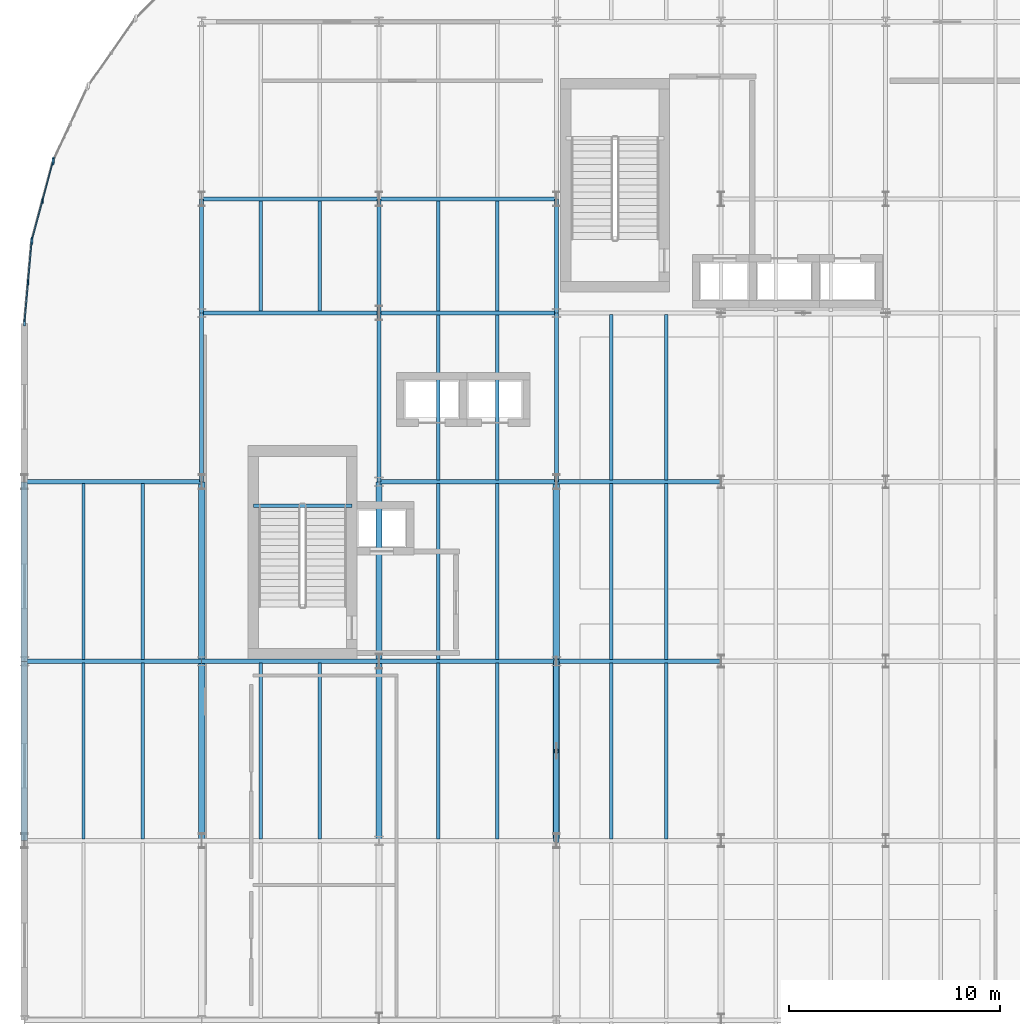
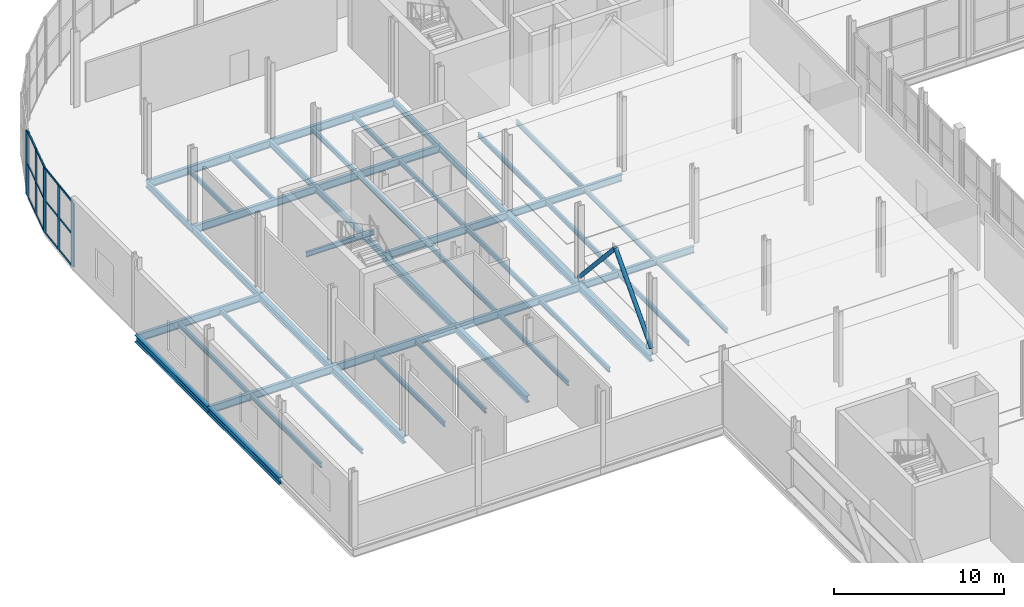
# One storey, part 24 of 78: 48 beams, 21 members, 3 elements without a shape of their own.
"""IFC4 building model written with IfcOpenShell, lengths in metres."""

from ifc_helpers import new_model, si_unit, direction, frame, origin, origin_2d, place, context, subcontext, project, spatial, rectangle, hollow_circle, i_section, extrude, material, layer, layer_set, material_profile, profile_set, type_object, element, aggregate, save


model = new_model("IFC4")

# Units and contexts
model_context = context("Model", 3, precision=1e-05, world=origin(), true_north=direction((0.0, 1.0)))
body_context = subcontext(model_context, "Body", "Model", "MODEL_VIEW")
ifc_project = project(units=[si_unit("LENGTHUNIT", "METRE"), si_unit("AREAUNIT", "SQUARE_METRE"), si_unit("VOLUMEUNIT", "CUBIC_METRE"), si_unit("PLANEANGLEUNIT", "RADIAN"), si_unit("MASSUNIT", "GRAM", prefix="KILO")], contexts=[model_context])

# Site, building, storey
site_placement = place(None, origin())
site = spatial("IfcSite", under=ifc_project, at=site_placement, CompositionType="ELEMENT")
building_placement = place(site_placement, origin())
building = spatial("IfcBuilding", under=site, at=building_placement, Name="Sefraquen Railside Congress Hotel", CompositionType="ELEMENT")
storey_placement = place(building_placement, frame((0.0, 0.0, 6.0)))
storey = spatial("IfcBuildingStorey", under=building, at=storey_placement, Name="L01", CompositionType="ELEMENT", Elevation=6.0)

# Beams
ifc_material_1 = material(Name="Steel S355JR", Category="steel")
ifc_material_profile_1 = material_profile(ifc_material_1, i_section(OverallWidth=0.169921875, OverallDepth=0.360107421875, WebThickness=0.008056640625, FlangeThickness=0.0126953125, FilletRadius=0.01806640625, at=origin_2d()), Name="IPE 360")
ifc_profile_set_1 = profile_set([ifc_material_profile_1], Name="Steel S355JR")
beam_type_1 = type_object("IfcBeamType", Name="TB-BM-360", PredefinedType="BEAM", material=ifc_profile_set_1)
beam_1_placement = place(storey_placement, frame((10.85009765625, 86.8701171875, 2.320068359375), z_axis=(1.0, 0.0, 0.0), x_axis=(0.0, 1.0, 0.0)))
element("IfcBeam", 1, at=beam_1_placement, inside=storey, type_object=beam_type_1, Name="Stair ST-H01 L01 mid-landing corbel beam", PredefinedType="BEAM", context=body_context, shape_type="SweptSolid", body=[
    extrude(i_section(OverallWidth=0.169921875, OverallDepth=0.360107421875, WebThickness=0.008056640625, FlangeThickness=0.0126953125, FilletRadius=0.01806640625, at=origin_2d()), origin(), (0.0, 0.0, 1.0), 4.659912109375),
])
ifc_material_profile_2 = material_profile(ifc_material_1, i_section(OverallWidth=0.18994140625, OverallDepth=0.449951171875, WebThickness=0.009521484375, FlangeThickness=0.0146484375, FilletRadius=0.02099609375, at=origin_2d()), Name="IPE 450")
ifc_profile_set_2 = profile_set([ifc_material_profile_2], Name="Steel S355JR")
beam_type_2 = type_object("IfcBeamType", Name="TB-BM-450", PredefinedType="BEAM", material=ifc_profile_set_2)
beam_2_placement = place(storey_placement, frame((8.39990234375, 88.0, -0.52490234375), z_axis=(0.0, 1.0, 0.0), x_axis=(-1.0, 0.0, 0.0)))
element("IfcBeam", 2, at=beam_2_placement, inside=storey, type_object=beam_type_2, Name="Floor beam BM-L01-0513", PredefinedType="BEAM", context=body_context, shape_type="SweptSolid", body=[
    extrude(i_section(OverallWidth=0.18994140625, OverallDepth=0.449951171875, WebThickness=0.009521484375, FlangeThickness=0.0146484375, FilletRadius=0.02099609375, at=origin_2d()), origin(), (0.0, 0.0, 1.0), 8.0),
])
beam_3_placement = place(storey_placement, frame((8.39990234375, 96.0, -0.52490234375), z_axis=(0.0, 1.0, 0.0), x_axis=(-1.0, 0.0, 0.0)))
element("IfcBeam", 3, at=beam_3_placement, inside=storey, type_object=beam_type_2, Name="Floor beam BM-L01-0514", PredefinedType="BEAM", context=body_context, shape_type="SweptSolid", body=[
    extrude(i_section(OverallWidth=0.18994140625, OverallDepth=0.449951171875, WebThickness=0.009521484375, FlangeThickness=0.0146484375, FilletRadius=0.02099609375, at=origin_2d()), origin(), (0.0, 0.0, 1.0), 5.39990234375),
])
beam_4_placement = place(storey_placement, frame((16.800048828125, 88.0, -0.52490234375), z_axis=(0.0, 1.0, 0.0), x_axis=(-1.0, 0.0, 0.0)))
element("IfcBeam", 4, at=beam_4_placement, inside=storey, type_object=beam_type_2, Name="Floor beam BM-L01-0519", PredefinedType="BEAM", context=body_context, shape_type="SweptSolid", body=[
    extrude(i_section(OverallWidth=0.18994140625, OverallDepth=0.449951171875, WebThickness=0.009521484375, FlangeThickness=0.0146484375, FilletRadius=0.02099609375, at=origin_2d()), origin(), (0.0, 0.0, 1.0), 8.0),
])
beam_5_placement = place(storey_placement, frame((16.800048828125, 96.0, -0.52490234375), z_axis=(0.0, 1.0, 0.0), x_axis=(-1.0, 0.0, 0.0)))
element("IfcBeam", 5, at=beam_5_placement, inside=storey, type_object=beam_type_2, Name="Floor beam BM-L01-0520", PredefinedType="BEAM", context=body_context, shape_type="SweptSolid", body=[
    extrude(i_section(OverallWidth=0.18994140625, OverallDepth=0.449951171875, WebThickness=0.009521484375, FlangeThickness=0.0146484375, FilletRadius=0.02099609375, at=origin_2d()), origin(), (0.0, 0.0, 1.0), 5.39990234375),
])
beam_6_placement = place(storey_placement, frame((25.199951171875, 88.0, -0.52490234375), z_axis=(0.0, 1.0, 0.0), x_axis=(-1.0, 0.0, 0.0)))
element("IfcBeam", 6, at=beam_6_placement, inside=storey, type_object=beam_type_2, Name="Floor beam BM-L01-0531", PredefinedType="BEAM", context=body_context, shape_type="SweptSolid", body=[
    extrude(i_section(OverallWidth=0.18994140625, OverallDepth=0.449951171875, WebThickness=0.009521484375, FlangeThickness=0.0146484375, FilletRadius=0.02099609375, at=origin_2d()), origin(), (0.0, 0.0, 1.0), 8.0),
])
beam_7_placement = place(storey_placement, frame((25.199951171875, 96.0, -0.52490234375), z_axis=(0.0, 1.0, 0.0), x_axis=(-1.0, 0.0, 0.0)))
element("IfcBeam", 7, at=beam_7_placement, inside=storey, type_object=beam_type_2, Name="Floor beam BM-L01-0532", PredefinedType="BEAM", context=body_context, shape_type="SweptSolid", body=[
    extrude(i_section(OverallWidth=0.18994140625, OverallDepth=0.449951171875, WebThickness=0.009521484375, FlangeThickness=0.0146484375, FilletRadius=0.02099609375, at=origin_2d()), origin(), (0.0, 0.0, 1.0), 5.39990234375),
])
ifc_material_profile_3 = material_profile(ifc_material_1, i_section(OverallWidth=0.199951171875, OverallDepth=0.5, WebThickness=0.01025390625, FlangeThickness=0.01611328125, FilletRadius=0.02099609375, at=origin_2d()), Name="IPE 500")
ifc_profile_set_3 = profile_set([ifc_material_profile_3], Name="Steel S355JR")
beam_type_3 = type_object("IfcBeamType", Name="TB-BM-500", PredefinedType="BEAM", material=ifc_profile_set_3)
for number, where, z_axis, x_axis, name in (
    (8, (25.199951171875, 79.5, -0.550048828125), (1.0, 0.0, 0.0), (0.0, 1.0, 0.0), "Primary girder BM-L01-0429"),
    (9, (25.199951171875, 88.0, -0.550048828125), (1.0, 0.0, 0.0), (0.0, 1.0, 0.0), "Primary girder BM-L01-0436"),
):
    element("IfcBeam", number, at=place(storey_placement, frame(where, z_axis=z_axis, x_axis=x_axis)), inside=storey, type_object=beam_type_3, Name=name, PredefinedType="BEAM", context=body_context, shape_type="SweptSolid", body=[
        extrude(i_section(OverallWidth=0.199951171875, OverallDepth=0.5, WebThickness=0.01025390625, FlangeThickness=0.01611328125, FilletRadius=0.02099609375, at=origin_2d()), origin(), (0.0, 0.0, 1.0), 7.800048828125),
    ])
ifc_material_profile_4 = material_profile(ifc_material_1, i_section(OverallWidth=0.300048828125, OverallDepth=0.489990234375, WebThickness=0.011962890625, FlangeThickness=0.02294921875, FilletRadius=0.027099609375, at=origin_2d()), Name="HEA 500")
ifc_profile_set_4 = profile_set([ifc_material_profile_4], Name="Steel S355JR")
beam_type_4 = type_object("IfcBeamType", Name="TB-GIR-500", PredefinedType="T_BEAM", material=ifc_profile_set_4)
for number, where, z_axis, x_axis, name in (
    (10, (0.0, 71.0, -0.544921875), (0.0, 1.0, 0.0), (-1.0, 0.0, 0.0), "Floor beam BM-L01-0508"),
    (11, (0.0, 79.5, -0.544921875), (0.0, 1.0, 0.0), (-1.0, 0.0, 0.0), "Floor beam BM-L01-0509"),
    (12, (8.39990234375, 71.0, -0.544921875), (0.0, 1.0, 0.0), (-1.0, 0.0, 0.0), "Floor beam BM-L01-0511"),
    (13, (8.39990234375, 79.5, -0.544921875), (0.0, 1.0, 0.0), (-1.0, 0.0, 0.0), "Floor beam BM-L01-0512"),
    (14, (16.800048828125, 71.0, -0.544921875), (0.0, 1.0, 0.0), (-1.0, 0.0, 0.0), "Floor beam BM-L01-0517"),
    (15, (16.800048828125, 79.5, -0.544921875), (0.0, 1.0, 0.0), (-1.0, 0.0, 0.0), "Floor beam BM-L01-0518"),
    (16, (25.199951171875, 71.0, -0.544921875), (0.0, 1.0, 0.0), (-1.0, 0.0, 0.0), "Floor beam BM-L01-0529"),
    (17, (25.199951171875, 79.5, -0.544921875), (0.0, 1.0, 0.0), (-1.0, 0.0, 0.0), "Floor beam BM-L01-0530"),
):
    element("IfcBeam", number, at=place(storey_placement, frame(where, z_axis=z_axis, x_axis=x_axis)), inside=storey, type_object=beam_type_4, Name=name, PredefinedType="T_BEAM", context=body_context, shape_type="SweptSolid", body=[
        extrude(i_section(OverallWidth=0.300048828125, OverallDepth=0.489990234375, WebThickness=0.011962890625, FlangeThickness=0.02294921875, FilletRadius=0.027099609375, at=origin_2d()), origin(), (0.0, 0.0, 1.0), 8.5),
    ])
ifc_material_profile_5 = material_profile(ifc_material_1, i_section(OverallWidth=0.2099609375, OverallDepth=0.550048828125, WebThickness=0.010986328125, FlangeThickness=0.01708984375, FilletRadius=0.02392578125, at=origin_2d()), Name="IPE 550")
ifc_profile_set_5 = profile_set([ifc_material_profile_5], Name="Steel S355JR")
beam_type_5 = type_object("IfcBeamType", Name="TB-GIR-550", PredefinedType="T_BEAM", material=ifc_profile_set_5)
beam_8_placement = place(storey_placement, frame((0.0, 79.5, -0.574951171875), z_axis=(1.0, 0.0, 0.0), x_axis=(0.0, 1.0, 0.0)))
element("IfcBeam", 18, at=beam_8_placement, inside=storey, type_object=beam_type_5, Name="Primary girder BM-L01-0426", PredefinedType="T_BEAM", context=body_context, shape_type="SweptSolid", body=[
    extrude(i_section(OverallWidth=0.2099609375, OverallDepth=0.550048828125, WebThickness=0.010986328125, FlangeThickness=0.01708984375, FilletRadius=0.02392578125, at=origin_2d()), origin(), (0.0, 0.0, 1.0), 8.39990234375),
])
beam_9_placement = place(storey_placement, frame((8.39990234375, 79.5, -0.574951171875), z_axis=(1.0, 0.0, 0.0), x_axis=(0.0, 1.0, 0.0)))
element("IfcBeam", 19, at=beam_9_placement, inside=storey, type_object=beam_type_5, Name="Primary girder BM-L01-0427", PredefinedType="T_BEAM", context=body_context, shape_type="SweptSolid", body=[
    extrude(i_section(OverallWidth=0.2099609375, OverallDepth=0.550048828125, WebThickness=0.010986328125, FlangeThickness=0.01708984375, FilletRadius=0.02392578125, at=origin_2d()), origin(), (0.0, 0.0, 1.0), 8.400146484375),
])
for number, where, z_axis, x_axis, name in (
    (20, (16.800048828125, 79.5, -0.574951171875), (1.0, 0.0, 0.0), (0.0, 1.0, 0.0), "Primary girder BM-L01-0428"),
    (21, (0.0, 88.0, -0.574951171875), (1.0, 0.0, 0.0), (0.0, 1.0, 0.0), "Primary girder BM-L01-0434"),
    (22, (16.800048828125, 88.0, -0.574951171875), (1.0, 0.0, 0.0), (0.0, 1.0, 0.0), "Primary girder BM-L01-0435"),
):
    element("IfcBeam", number, at=place(storey_placement, frame(where, z_axis=z_axis, x_axis=x_axis)), inside=storey, type_object=beam_type_5, Name=name, PredefinedType="T_BEAM", context=body_context, shape_type="SweptSolid", body=[
        extrude(i_section(OverallWidth=0.2099609375, OverallDepth=0.550048828125, WebThickness=0.010986328125, FlangeThickness=0.01708984375, FilletRadius=0.02392578125, at=origin_2d()), origin(), (0.0, 0.0, 1.0), 8.39990234375),
    ])
beam_10_placement = place(storey_placement, frame((8.39990234375, 96.0, -0.574951171875), z_axis=(1.0, 0.0, 0.0), x_axis=(0.0, 1.0, 0.0)))
element("IfcBeam", 23, at=beam_10_placement, inside=storey, type_object=beam_type_5, Name="Primary girder BM-L01-0449", PredefinedType="T_BEAM", context=body_context, shape_type="SweptSolid", body=[
    extrude(i_section(OverallWidth=0.2099609375, OverallDepth=0.550048828125, WebThickness=0.010986328125, FlangeThickness=0.01708984375, FilletRadius=0.02392578125, at=origin_2d()), origin(), (0.0, 0.0, 1.0), 8.400146484375),
])
beam_11_placement = place(storey_placement, frame((16.800048828125, 96.0, -0.574951171875), z_axis=(1.0, 0.0, 0.0), x_axis=(0.0, 1.0, 0.0)))
element("IfcBeam", 24, at=beam_11_placement, inside=storey, type_object=beam_type_5, Name="Primary girder BM-L01-0450", PredefinedType="T_BEAM", context=body_context, shape_type="SweptSolid", body=[
    extrude(i_section(OverallWidth=0.2099609375, OverallDepth=0.550048828125, WebThickness=0.010986328125, FlangeThickness=0.01708984375, FilletRadius=0.02392578125, at=origin_2d()), origin(), (0.0, 0.0, 1.0), 8.39990234375),
])
beam_12_placement = place(storey_placement, frame((8.39990234375, 101.39990234375, -0.574951171875), z_axis=(1.0, 0.0, 0.0), x_axis=(0.0, 1.0, 0.0)))
element("IfcBeam", 25, at=beam_12_placement, inside=storey, type_object=beam_type_5, Name="Primary girder BM-L01-0469", PredefinedType="T_BEAM", context=body_context, shape_type="SweptSolid", body=[
    extrude(i_section(OverallWidth=0.2099609375, OverallDepth=0.550048828125, WebThickness=0.010986328125, FlangeThickness=0.01708984375, FilletRadius=0.02392578125, at=origin_2d()), origin(), (0.0, 0.0, 1.0), 8.400146484375),
])
beam_13_placement = place(storey_placement, frame((16.800048828125, 101.39990234375, -0.574951171875), z_axis=(1.0, 0.0, 0.0), x_axis=(0.0, 1.0, 0.0)))
element("IfcBeam", 26, at=beam_13_placement, inside=storey, type_object=beam_type_5, Name="Primary girder BM-L01-0470", PredefinedType="T_BEAM", context=body_context, shape_type="SweptSolid", body=[
    extrude(i_section(OverallWidth=0.2099609375, OverallDepth=0.550048828125, WebThickness=0.010986328125, FlangeThickness=0.01708984375, FilletRadius=0.02392578125, at=origin_2d()), origin(), (0.0, 0.0, 1.0), 8.39990234375),
])
ifc_material_profile_6 = material_profile(ifc_material_1, i_section(OverallWidth=0.159912109375, OverallDepth=0.330078125, WebThickness=0.007568359375, FlangeThickness=0.011474609375, FilletRadius=0.01806640625, at=origin_2d()), Name="IPE 330")
ifc_profile_set_6 = profile_set([ifc_material_profile_6], Name="Steel S355JR")
beam_type_6 = type_object("IfcBeamType", Name="TB-JST-330", PredefinedType="JOIST", material=ifc_profile_set_6)
for number, where, z_axis, x_axis, name in (
    (27, (2.800048828125, 71.0849609375, -0.465087890625), (0.0, 1.0, 0.0), (-1.0, 0.0, 0.0), "Composite floor joist BM-L01-J0205"),
    (28, (5.60009765625, 71.0849609375, -0.465087890625), (0.0, 1.0, 0.0), (-1.0, 0.0, 0.0), "Composite floor joist BM-L01-J0206"),
    (29, (2.800048828125, 79.5849609375, -0.465087890625), (0.0, 1.0, 0.0), (-1.0, 0.0, 0.0), "Composite floor joist BM-L01-J0207"),
    (30, (5.60009765625, 79.5849609375, -0.465087890625), (0.0, 1.0, 0.0), (-1.0, 0.0, 0.0), "Composite floor joist BM-L01-J0208"),
    (31, (11.199951171875, 71.0849609375, -0.465087890625), (0.0, 1.0, 0.0), (-1.0, 0.0, 0.0), "Composite floor joist BM-L01-J0211"),
    (32, (14.0, 71.0849609375, -0.465087890625), (0.0, 1.0, 0.0), (-1.0, 0.0, 0.0), "Composite floor joist BM-L01-J0212"),
):
    element("IfcBeam", number, at=place(storey_placement, frame(where, z_axis=z_axis, x_axis=x_axis)), inside=storey, type_object=beam_type_6, Name=name, PredefinedType="JOIST", context=body_context, shape_type="SweptSolid", body=[
        extrude(i_section(OverallWidth=0.159912109375, OverallDepth=0.330078125, WebThickness=0.007568359375, FlangeThickness=0.011474609375, FilletRadius=0.01806640625, at=origin_2d()), origin(), (0.0, 0.0, 1.0), 8.330078125),
    ])
for number, where, z_axis, x_axis, name in (
    (33, (11.199951171875, 96.0849609375, -0.465087890625), (0.0, 1.0, 0.0), (-1.0, 0.0, 0.0), "Composite floor joist BM-L01-J0213"),
    (34, (14.0, 96.0849609375, -0.465087890625), (0.0, 1.0, 0.0), (-1.0, 0.0, 0.0), "Composite floor joist BM-L01-J0214"),
):
    element("IfcBeam", number, at=place(storey_placement, frame(where, z_axis=z_axis, x_axis=x_axis)), inside=storey, type_object=beam_type_6, Name=name, PredefinedType="JOIST", context=body_context, shape_type="SweptSolid", body=[
        extrude(i_section(OverallWidth=0.159912109375, OverallDepth=0.330078125, WebThickness=0.007568359375, FlangeThickness=0.011474609375, FilletRadius=0.01806640625, at=origin_2d()), origin(), (0.0, 0.0, 1.0), 5.22998046875),
    ])
for number, where, z_axis, x_axis, name in (
    (35, (19.60009765625, 71.0849609375, -0.465087890625), (0.0, 1.0, 0.0), (-1.0, 0.0, 0.0), "Composite floor joist BM-L01-J0219"),
    (36, (22.39990234375, 71.0849609375, -0.465087890625), (0.0, 1.0, 0.0), (-1.0, 0.0, 0.0), "Composite floor joist BM-L01-J0220"),
    (37, (19.60009765625, 79.5849609375, -0.465087890625), (0.0, 1.0, 0.0), (-1.0, 0.0, 0.0), "Composite floor joist BM-L01-J0221"),
    (38, (22.39990234375, 79.5849609375, -0.465087890625), (0.0, 1.0, 0.0), (-1.0, 0.0, 0.0), "Composite floor joist BM-L01-J0222"),
):
    element("IfcBeam", number, at=place(storey_placement, frame(where, z_axis=z_axis, x_axis=x_axis)), inside=storey, type_object=beam_type_6, Name=name, PredefinedType="JOIST", context=body_context, shape_type="SweptSolid", body=[
        extrude(i_section(OverallWidth=0.159912109375, OverallDepth=0.330078125, WebThickness=0.007568359375, FlangeThickness=0.011474609375, FilletRadius=0.01806640625, at=origin_2d()), origin(), (0.0, 0.0, 1.0), 8.330078125),
    ])
for number, where, z_axis, x_axis, name in (
    (39, (19.60009765625, 88.0849609375, -0.465087890625), (0.0, 1.0, 0.0), (-1.0, 0.0, 0.0), "Composite floor joist BM-L01-J0223"),
    (40, (22.39990234375, 88.0849609375, -0.465087890625), (0.0, 1.0, 0.0), (-1.0, 0.0, 0.0), "Composite floor joist BM-L01-J0224"),
):
    element("IfcBeam", number, at=place(storey_placement, frame(where, z_axis=z_axis, x_axis=x_axis)), inside=storey, type_object=beam_type_6, Name=name, PredefinedType="JOIST", context=body_context, shape_type="SweptSolid", body=[
        extrude(i_section(OverallWidth=0.159912109375, OverallDepth=0.330078125, WebThickness=0.007568359375, FlangeThickness=0.011474609375, FilletRadius=0.01806640625, at=origin_2d()), origin(), (0.0, 0.0, 1.0), 7.830078125),
    ])
for number, where, z_axis, x_axis, name in (
    (41, (19.60009765625, 96.0849609375, -0.465087890625), (0.0, 1.0, 0.0), (-1.0, 0.0, 0.0), "Composite floor joist BM-L01-J0225"),
    (42, (22.39990234375, 96.0849609375, -0.465087890625), (0.0, 1.0, 0.0), (-1.0, 0.0, 0.0), "Composite floor joist BM-L01-J0226"),
):
    element("IfcBeam", number, at=place(storey_placement, frame(where, z_axis=z_axis, x_axis=x_axis)), inside=storey, type_object=beam_type_6, Name=name, PredefinedType="JOIST", context=body_context, shape_type="SweptSolid", body=[
        extrude(i_section(OverallWidth=0.159912109375, OverallDepth=0.330078125, WebThickness=0.007568359375, FlangeThickness=0.011474609375, FilletRadius=0.01806640625, at=origin_2d()), origin(), (0.0, 0.0, 1.0), 5.22998046875),
    ])
for number, where, z_axis, x_axis, name in (
    (43, (27.800048828125, 71.080078125, -0.465087890625), (0.0, 1.0, 0.0), (-1.0, 0.0, 0.0), "Composite floor joist BM-L01-J0238"),
    (44, (30.39990234375, 71.080078125, -0.465087890625), (0.0, 1.0, 0.0), (-1.0, 0.0, 0.0), "Composite floor joist BM-L01-J0239"),
    (45, (27.800048828125, 79.580078125, -0.465087890625), (0.0, 1.0, 0.0), (-1.0, 0.0, 0.0), "Composite floor joist BM-L01-J0240"),
    (46, (30.39990234375, 79.580078125, -0.465087890625), (0.0, 1.0, 0.0), (-1.0, 0.0, 0.0), "Composite floor joist BM-L01-J0241"),
):
    element("IfcBeam", number, at=place(storey_placement, frame(where, z_axis=z_axis, x_axis=x_axis)), inside=storey, type_object=beam_type_6, Name=name, PredefinedType="JOIST", context=body_context, shape_type="SweptSolid", body=[
        extrude(i_section(OverallWidth=0.159912109375, OverallDepth=0.330078125, WebThickness=0.007568359375, FlangeThickness=0.011474609375, FilletRadius=0.01806640625, at=origin_2d()), origin(), (0.0, 0.0, 1.0), 8.33984375),
    ])
for number, where, z_axis, x_axis, name in (
    (47, (27.800048828125, 88.080078125, -0.465087890625), (0.0, 1.0, 0.0), (-1.0, 0.0, 0.0), "Composite floor joist BM-L01-J0242"),
    (48, (30.39990234375, 88.080078125, -0.465087890625), (0.0, 1.0, 0.0), (-1.0, 0.0, 0.0), "Composite floor joist BM-L01-J0243"),
):
    element("IfcBeam", number, at=place(storey_placement, frame(where, z_axis=z_axis, x_axis=x_axis)), inside=storey, type_object=beam_type_6, Name=name, PredefinedType="JOIST", context=body_context, shape_type="SweptSolid", body=[
        extrude(i_section(OverallWidth=0.159912109375, OverallDepth=0.330078125, WebThickness=0.007568359375, FlangeThickness=0.011474609375, FilletRadius=0.01806640625, at=origin_2d()), origin(), (0.0, 0.0, 1.0), 7.83984375),
    ])

# Members
ifc_material_2 = material(Name="Steel S355J2", Category="steel")
ifc_material_profile_7 = material_profile(ifc_material_2, hollow_circle(Radius=0.136474609375, WallThickness=0.012451171875, at=origin_2d()), Name="CHS 273x12.5")
ifc_profile_set_7 = profile_set([ifc_material_profile_7], Name="Steel S355J2")
member_type_1 = type_object("IfcMemberType", Name="TM-BR-273", PredefinedType="BRACE", material=ifc_profile_set_7)
for number, where, z_axis, x_axis, name in (
    (49, (25.199951171875, 71.0, 0.14990234375), (0.0, 0.674634091144, 0.738152316982), (-1.0, 0.0, 0.0), "Chevron braced-frame diagonal BF2-L L01"),
    (50, (25.199951171875, 79.5, 0.14990234375), (0.0, -0.674634091144, 0.738152316982), (1.0, 0.0, 0.0), "Chevron braced-frame diagonal BF2-R L01"),
):
    element("IfcMember", number, at=place(storey_placement, frame(where, z_axis=z_axis, x_axis=x_axis)), inside=storey, type_object=member_type_1, Name=name, PredefinedType="BRACE", context=body_context, shape_type="SweptSolid", body=[
        extrude(hollow_circle(Radius=0.136474609375, WallThickness=0.012451171875, at=origin_2d()), origin(), (0.0, 0.0, 1.0), 6.2998046875),
    ])

# Curtain wall, member
ifc_material_3 = material(Name="Thermally broken anodised aluminium and low-E double glazing", Category="aluminium")
ifc_layer_1 = layer(ifc_material_3, 0.199951171875)
ifc_layer_set_1 = layer_set([ifc_layer_1], Name="Thermally broken anodised aluminium and low-E double glazing")
curtain_wall_type_1 = type_object("IfcCurtainWallType", Name="TCW-UCW-17", PredefinedType="USERDEFINED", material=ifc_layer_set_1)
curtain_wall_1_placement = place(storey_placement, origin())
curtain_wall_1 = element("IfcCurtainWall", 51, at=curtain_wall_1_placement, inside=storey, type_object=curtain_wall_type_1, Name="Rotunda L01 curved curtain wall facet 8", ObjectType="UNITISED CURTAIN WALL", PredefinedType="USERDEFINED")
ifc_material_4 = material(Name="Thermally broken anodised aluminium 6063-T6", Category="aluminium")
ifc_material_profile_8 = material_profile(ifc_material_4, rectangle(XDim=0.074951171875, YDim=0.219970703125, at=origin_2d()), Name="CWM 75x220")
ifc_profile_set_8 = profile_set([ifc_material_profile_8], Name="Thermally broken anodised aluminium 6063-T6")
member_type_2 = type_object("IfcMemberType", Name="TM-CWM-04", PredefinedType="MULLION", material=ifc_profile_set_8)
member_1_placement = place(storey_placement, frame((0.849365234375, 101.30126953125, 0.0), z_axis=(0.0, 0.0, 1.0), x_axis=(1.0, 0.0, 0.0)))
member_1 = element("IfcMember", 52, at=member_1_placement, type_object=member_type_2, Name="CW-L01-ROT-08 mullion 2", PredefinedType="MULLION", context=body_context, shape_type="SweptSolid", body=[
    extrude(rectangle(XDim=0.074951171875, YDim=0.219970703125, at=origin_2d()), origin(), (0.0, 0.0, 1.0), 4.60009765625),
])

ifc_layer_2 = layer(ifc_material_3, 0.199951171875)
ifc_layer_set_2 = layer_set([ifc_layer_2], Name="Thermally broken anodised aluminium and low-E double glazing")
curtain_wall_type_2 = type_object("IfcCurtainWallType", Name="TCW-UCW-18", PredefinedType="USERDEFINED", material=ifc_layer_set_2)
curtain_wall_2_placement = place(storey_placement, origin())
curtain_wall_2 = element("IfcCurtainWall", 53, at=curtain_wall_2_placement, inside=storey, type_object=curtain_wall_type_2, Name="Rotunda L01 curved curtain wall facet 9", ObjectType="UNITISED CURTAIN WALL", PredefinedType="USERDEFINED")
ifc_material_profile_9 = material_profile(ifc_material_4, rectangle(XDim=0.080078125, YDim=0.239990234375, at=origin_2d()), Name="CWM 80x240")
ifc_profile_set_9 = profile_set([ifc_material_profile_9], Name="Thermally broken anodised aluminium 6063-T6")
member_type_3 = type_object("IfcMemberType", Name="TM-CWM-05", PredefinedType="MULLION", material=ifc_profile_set_9)
member_2_placement = place(storey_placement, frame((0.1708984375, 97.45361328125, 0.0), z_axis=(0.0, 0.0, 1.0), x_axis=(1.0, 0.0, 0.0)))
member_2 = element("IfcMember", 54, at=member_2_placement, type_object=member_type_3, Name="CW-L01-ROT-09 mullion 2", PredefinedType="MULLION", context=body_context, shape_type="SweptSolid", body=[
    extrude(rectangle(XDim=0.080078125, YDim=0.239990234375, at=origin_2d()), origin(), (0.0, 0.0, 1.0), 4.60009765625),
])

ifc_layer_3 = layer(ifc_material_3, 0.199951171875)
ifc_layer_set_3 = layer_set([ifc_layer_3], Name="Thermally broken anodised aluminium and low-E double glazing")
curtain_wall_type_3 = type_object("IfcCurtainWallType", Name="TCW-UCW-16", PredefinedType="USERDEFINED", material=ifc_layer_set_3)
curtain_wall_3_placement = place(storey_placement, origin())
curtain_wall_3 = element("IfcCurtainWall", 55, at=curtain_wall_3_placement, inside=storey, type_object=curtain_wall_type_3, Name="Rotunda L01 curved curtain wall facet 7", ObjectType="UNITISED CURTAIN WALL", PredefinedType="USERDEFINED")
ifc_material_profile_10 = material_profile(ifc_material_4, rectangle(XDim=0.094970703125, YDim=0.300048828125, at=origin_2d()), Name="CWM 95x300")
ifc_profile_set_10 = profile_set([ifc_material_profile_10], Name="Thermally broken anodised aluminium 6063-T6")
member_type_4 = type_object("IfcMemberType", Name="TM-CWM-08", PredefinedType="MULLION", material=ifc_profile_set_10)
member_3_placement = place(storey_placement, frame((1.373779296875, 103.231689453125, 0.0), z_axis=(0.0, 0.0, 1.0), x_axis=(1.0, 0.0, 0.0)))
member_3 = element("IfcMember", 56, at=member_3_placement, type_object=member_type_4, Name="CW-L01-ROT-07 mullion 3", PredefinedType="MULLION", context=body_context, shape_type="SweptSolid", body=[
    extrude(rectangle(XDim=0.094970703125, YDim=0.300048828125, at=origin_2d()), origin(), (0.0, 0.0, 1.0), 4.60009765625),
])
aggregate(curtain_wall_3, [member_3])

# Member
member_4_placement = place(storey_placement, frame((1.346435546875, 103.156982421875, 0.0), z_axis=(0.0, 0.0, 1.0), x_axis=(1.0, 0.0, 0.0)))
member_4 = element("IfcMember", 57, at=member_4_placement, type_object=member_type_4, Name="CW-L01-ROT-08 mullion 1", PredefinedType="MULLION", context=body_context, shape_type="SweptSolid", body=[
    extrude(rectangle(XDim=0.094970703125, YDim=0.300048828125, at=origin_2d()), origin(), (0.0, 0.0, 1.0), 4.60009765625),
])

member_5_placement = place(storey_placement, frame((0.352294921875, 99.44580078125, 0.0), z_axis=(0.0, 0.0, 1.0), x_axis=(1.0, 0.0, 0.0)))
member_5 = element("IfcMember", 58, at=member_5_placement, type_object=member_type_4, Name="CW-L01-ROT-08 mullion 3", PredefinedType="MULLION", context=body_context, shape_type="SweptSolid", body=[
    extrude(rectangle(XDim=0.094970703125, YDim=0.300048828125, at=origin_2d()), origin(), (0.0, 0.0, 1.0), 4.60009765625),
])

member_6_placement = place(storey_placement, frame((0.33837890625, 99.3671875, 0.0), z_axis=(0.0, 0.0, 1.0), x_axis=(1.0, 0.0, 0.0)))
member_6 = element("IfcMember", 59, at=member_6_placement, type_object=member_type_4, Name="CW-L01-ROT-09 mullion 1", PredefinedType="MULLION", context=body_context, shape_type="SweptSolid", body=[
    extrude(rectangle(XDim=0.094970703125, YDim=0.300048828125, at=origin_2d()), origin(), (0.0, 0.0, 1.0), 4.60009765625),
])

member_7_placement = place(storey_placement, frame((0.00341796875, 95.539794921875, 0.0), z_axis=(0.0, 0.0, 1.0), x_axis=(1.0, 0.0, 0.0)))
member_7 = element("IfcMember", 60, at=member_7_placement, type_object=member_type_4, Name="CW-L01-ROT-09 mullion 3", PredefinedType="MULLION", context=body_context, shape_type="SweptSolid", body=[
    extrude(rectangle(XDim=0.094970703125, YDim=0.300048828125, at=origin_2d()), origin(), (0.0, 0.0, 1.0), 4.60009765625),
])

ifc_material_profile_11 = material_profile(ifc_material_4, rectangle(XDim=0.06005859375, YDim=0.1201171875, at=origin_2d()), Name="CWT 60x120")
ifc_profile_set_11 = profile_set([ifc_material_profile_11], Name="Thermally broken anodised aluminium 6063-T6")
member_type_5 = type_object("IfcMemberType", Name="TM-CWT-01", PredefinedType="USERDEFINED", material=ifc_profile_set_11)
member_8_placement = place(storey_placement, frame((1.3349609375, 103.11328125, 0.0), z_axis=(-0.25894046868, -0.965893282759, 0.0), x_axis=(0.965893282759, -0.25894046868, 0.0)))
member_8 = element("IfcMember", 61, at=member_8_placement, type_object=member_type_5, Name="CW-L01-ROT-08 transom 1.1", ObjectType="TRANSOM", PredefinedType="USERDEFINED", context=body_context, shape_type="SweptSolid", body=[
    extrude(rectangle(XDim=0.06005859375, YDim=0.1201171875, at=origin_2d()), origin(), (0.0, 0.0, 1.0), 1.8310546875),
])

member_9_placement = place(storey_placement, frame((0.837646484375, 101.2578125, 0.0), z_axis=(-0.258816065499, -0.965926624666, 0.0), x_axis=(0.965926624666, -0.258816065499, 0.0)))
member_9 = element("IfcMember", 62, at=member_9_placement, type_object=member_type_5, Name="CW-L01-ROT-08 transom 1.2", ObjectType="TRANSOM", PredefinedType="USERDEFINED", context=body_context, shape_type="SweptSolid", body=[
    extrude(rectangle(XDim=0.06005859375, YDim=0.1201171875, at=origin_2d()), origin(), (0.0, 0.0, 1.0), 1.8310546875),
])

member_10_placement = place(storey_placement, frame((1.3349609375, 103.11328125, 2.300048828125), z_axis=(-0.25894046868, -0.965893282759, 0.0), x_axis=(0.965893282759, -0.25894046868, 0.0)))
member_10 = element("IfcMember", 63, at=member_10_placement, type_object=member_type_5, Name="CW-L01-ROT-08 transom 2.1", ObjectType="TRANSOM", PredefinedType="USERDEFINED", context=body_context, shape_type="SweptSolid", body=[
    extrude(rectangle(XDim=0.06005859375, YDim=0.1201171875, at=origin_2d()), origin(), (0.0, 0.0, 1.0), 1.8310546875),
])

member_11_placement = place(storey_placement, frame((0.837646484375, 101.2578125, 2.300048828125), z_axis=(-0.258816065499, -0.965926624666, 0.0), x_axis=(0.965926624666, -0.258816065499, 0.0)))
member_11 = element("IfcMember", 64, at=member_11_placement, type_object=member_type_5, Name="CW-L01-ROT-08 transom 2.2", ObjectType="TRANSOM", PredefinedType="USERDEFINED", context=body_context, shape_type="SweptSolid", body=[
    extrude(rectangle(XDim=0.06005859375, YDim=0.1201171875, at=origin_2d()), origin(), (0.0, 0.0, 1.0), 1.8310546875),
])

member_12_placement = place(storey_placement, frame((1.3349609375, 103.11328125, 4.60009765625), z_axis=(-0.25894046868, -0.965893282759, 0.0), x_axis=(0.965893282759, -0.25894046868, 0.0)))
member_12 = element("IfcMember", 65, at=member_12_placement, type_object=member_type_5, Name="CW-L01-ROT-08 transom 3.1", ObjectType="TRANSOM", PredefinedType="USERDEFINED", context=body_context, shape_type="SweptSolid", body=[
    extrude(rectangle(XDim=0.06005859375, YDim=0.1201171875, at=origin_2d()), origin(), (0.0, 0.0, 1.0), 1.8310546875),
])

member_13_placement = place(storey_placement, frame((0.837646484375, 101.2578125, 4.60009765625), z_axis=(-0.258816065499, -0.965926624666, 0.0), x_axis=(0.965926624666, -0.258816065499, 0.0)))
member_13 = element("IfcMember", 66, at=member_13_placement, type_object=member_type_5, Name="CW-L01-ROT-08 transom 3.2", ObjectType="TRANSOM", PredefinedType="USERDEFINED", context=body_context, shape_type="SweptSolid", body=[
    extrude(rectangle(XDim=0.06005859375, YDim=0.1201171875, at=origin_2d()), origin(), (0.0, 0.0, 1.0), 1.8310546875),
])

aggregate(curtain_wall_1, [member_4, member_1, member_5, member_8, member_9, member_10, member_11, member_12, member_13])

ifc_material_profile_12 = material_profile(ifc_material_4, rectangle(XDim=0.06494140625, YDim=0.135009765625, at=origin_2d()), Name="CWT 65x135")
ifc_profile_set_12 = profile_set([ifc_material_profile_12], Name="Thermally broken anodised aluminium 6063-T6")
member_type_6 = type_object("IfcMemberType", Name="TM-CWT-02", PredefinedType="USERDEFINED", material=ifc_profile_set_12)
member_14_placement = place(storey_placement, frame((0.33447265625, 99.322509765625, 0.0), z_axis=(-0.087193412302, -0.996191401715, 0.0), x_axis=(0.996191401715, -0.087193412302, 0.0)))
member_14 = element("IfcMember", 67, at=member_14_placement, type_object=member_type_6, Name="CW-L01-ROT-09 transom 1.1", ObjectType="TRANSOM", PredefinedType="USERDEFINED", context=body_context, shape_type="SweptSolid", body=[
    extrude(rectangle(XDim=0.06494140625, YDim=0.135009765625, at=origin_2d()), origin(), (0.0, 0.0, 1.0), 1.831298828125),
])

member_15_placement = place(storey_placement, frame((0.1669921875, 97.40869140625, 0.0), z_axis=(-0.08720499447, -0.996190387898, 0.0), x_axis=(0.996190387898, -0.08720499447, 0.0)))
member_15 = element("IfcMember", 68, at=member_15_placement, type_object=member_type_6, Name="CW-L01-ROT-09 transom 1.2", ObjectType="TRANSOM", PredefinedType="USERDEFINED", context=body_context, shape_type="SweptSolid", body=[
    extrude(rectangle(XDim=0.06494140625, YDim=0.135009765625, at=origin_2d()), origin(), (0.0, 0.0, 1.0), 1.8310546875),
])

member_16_placement = place(storey_placement, frame((0.33447265625, 99.322509765625, 2.300048828125), z_axis=(-0.087193412302, -0.996191401715, 0.0), x_axis=(0.996191401715, -0.087193412302, 0.0)))
member_16 = element("IfcMember", 69, at=member_16_placement, type_object=member_type_6, Name="CW-L01-ROT-09 transom 2.1", ObjectType="TRANSOM", PredefinedType="USERDEFINED", context=body_context, shape_type="SweptSolid", body=[
    extrude(rectangle(XDim=0.06494140625, YDim=0.135009765625, at=origin_2d()), origin(), (0.0, 0.0, 1.0), 1.831298828125),
])

member_17_placement = place(storey_placement, frame((0.1669921875, 97.40869140625, 2.300048828125), z_axis=(-0.08720499447, -0.996190387898, 0.0), x_axis=(0.996190387898, -0.08720499447, 0.0)))
member_17 = element("IfcMember", 70, at=member_17_placement, type_object=member_type_6, Name="CW-L01-ROT-09 transom 2.2", ObjectType="TRANSOM", PredefinedType="USERDEFINED", context=body_context, shape_type="SweptSolid", body=[
    extrude(rectangle(XDim=0.06494140625, YDim=0.135009765625, at=origin_2d()), origin(), (0.0, 0.0, 1.0), 1.8310546875),
])

member_18_placement = place(storey_placement, frame((0.33447265625, 99.322509765625, 4.60009765625), z_axis=(-0.087193412302, -0.996191401715, 0.0), x_axis=(0.996191401715, -0.087193412302, 0.0)))
member_18 = element("IfcMember", 71, at=member_18_placement, type_object=member_type_6, Name="CW-L01-ROT-09 transom 3.1", ObjectType="TRANSOM", PredefinedType="USERDEFINED", context=body_context, shape_type="SweptSolid", body=[
    extrude(rectangle(XDim=0.06494140625, YDim=0.135009765625, at=origin_2d()), origin(), (0.0, 0.0, 1.0), 1.831298828125),
])

member_19_placement = place(storey_placement, frame((0.1669921875, 97.40869140625, 4.60009765625), z_axis=(-0.08720499447, -0.996190387898, 0.0), x_axis=(0.996190387898, -0.08720499447, 0.0)))
member_19 = element("IfcMember", 72, at=member_19_placement, type_object=member_type_6, Name="CW-L01-ROT-09 transom 3.2", ObjectType="TRANSOM", PredefinedType="USERDEFINED", context=body_context, shape_type="SweptSolid", body=[
    extrude(rectangle(XDim=0.06494140625, YDim=0.135009765625, at=origin_2d()), origin(), (0.0, 0.0, 1.0), 1.8310546875),
])

aggregate(curtain_wall_2, [member_6, member_2, member_7, member_14, member_15, member_16, member_17, member_18, member_19])

save(model, "model.ifc")
